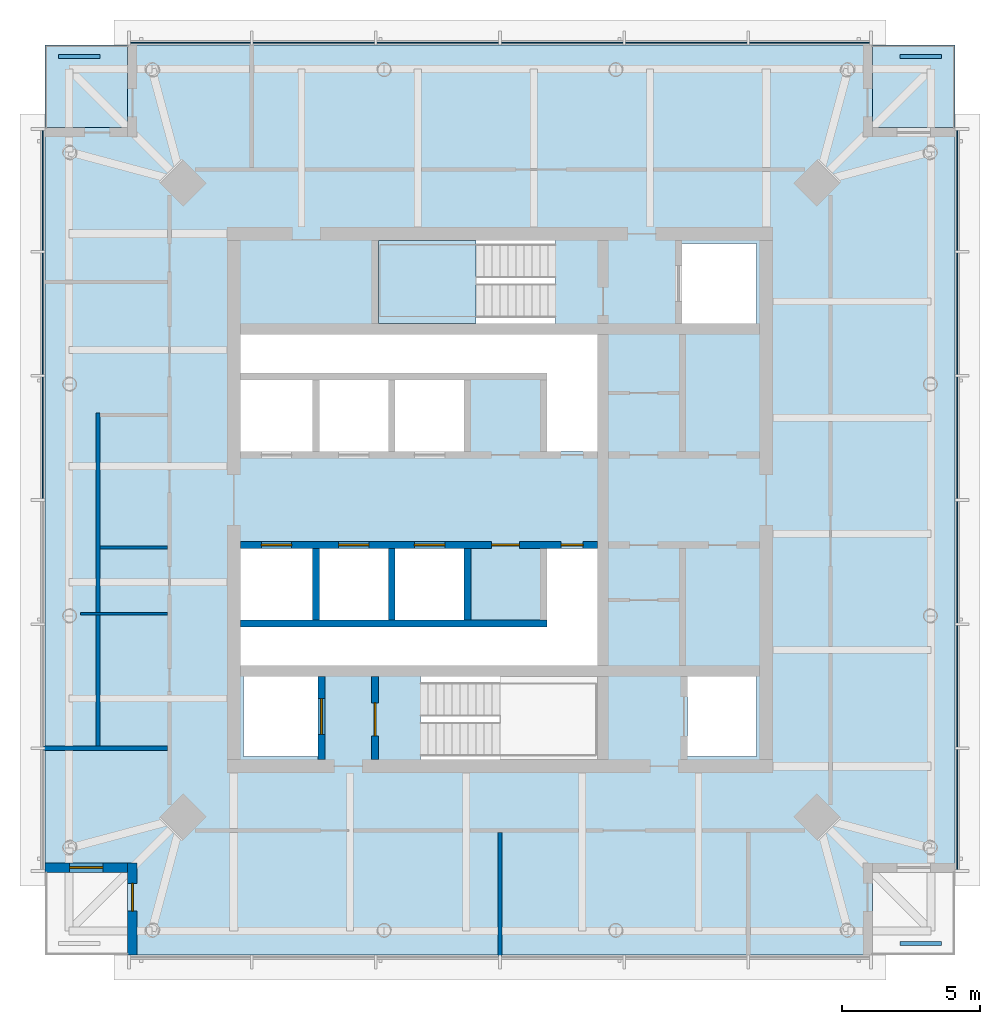
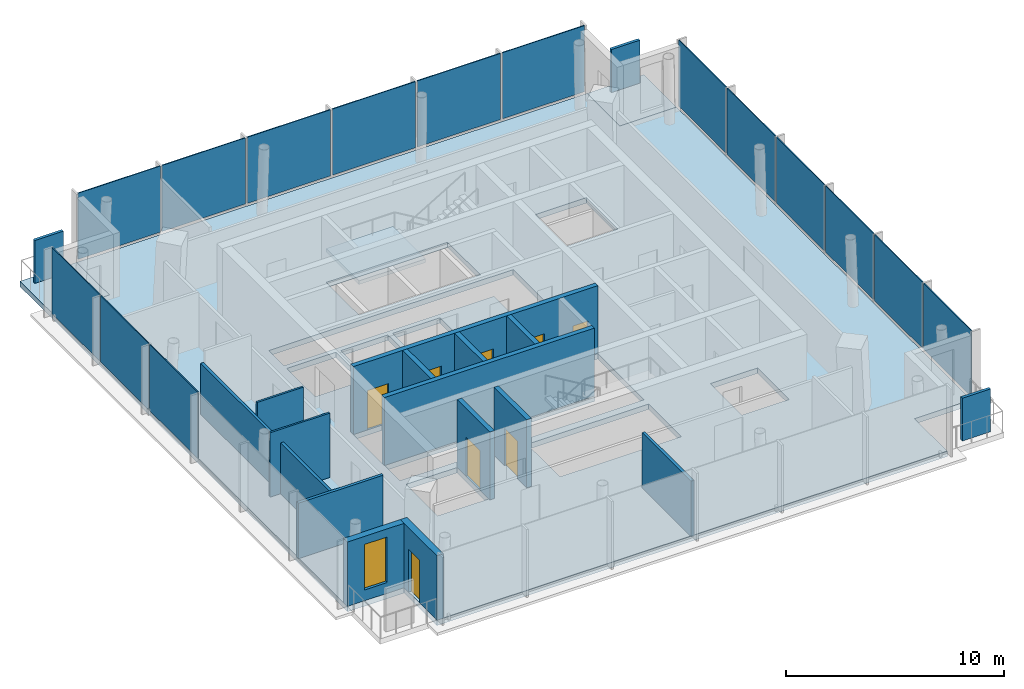
# One storey, part 3 of 8: 18 plates, 14 walls, 8 doors, 4 slabs, 1 window, 9 openings, 4 elements without a shape of their own.
"""IFC4 building model written with IfcOpenShell, lengths in metres."""

from ifc_helpers import new_model, si_unit, direction, frame, frame_2d, origin, origin_2d, place, context, subcontext, project, spatial, polyline, rectangle, outline, extrude, material, layer, layer_set, type_object, element, fill, aggregate, save


model = new_model("IFC4")

# Units and contexts
model_context = context("Model", 3, precision=1e-05, world=origin(), true_north=direction((0.0, 1.0)))
body_context = subcontext(model_context, "Body", "Model", "MODEL_VIEW")
ifc_project = project(units=[si_unit("LENGTHUNIT", "METRE"), si_unit("AREAUNIT", "SQUARE_METRE"), si_unit("VOLUMEUNIT", "CUBIC_METRE"), si_unit("PLANEANGLEUNIT", "RADIAN"), si_unit("MASSUNIT", "GRAM", prefix="KILO")], contexts=[model_context])

# Site, building, storey
site_placement = place(None, origin())
site = spatial("IfcSite", under=ifc_project, at=site_placement, CompositionType="ELEMENT")
building_placement = place(site_placement, origin())
building = spatial("IfcBuilding", under=site, at=building_placement, Name="Ostroluk Exchange", CompositionType="ELEMENT")
storey_placement = place(building_placement, frame((0.0, 0.0, 283.199951171875)))
storey = spatial("IfcBuildingStorey", under=building, at=storey_placement, Name="L73", CompositionType="ELEMENT", Elevation=283.199951171875)

# Slabs
ifc_material_1 = material(Name="Concrete C35/45", Category="concrete")
ifc_layer_1 = layer(ifc_material_1, 0.300048828125)
ifc_layer_set_1 = layer_set([ifc_layer_1], Name="Balcony slab 300")
slab_type_1 = type_object("IfcSlabType", Name="Balcony slab 300", PredefinedType="USERDEFINED", material=ifc_layer_set_1)
slab_1_placement = place(storey_placement, frame((0.0, 0.0, -0.300048828125)))
element("IfcSlab", 1, at=slab_1_placement, inside=storey, type_object=slab_type_1, Name="Office tower NE corner balcony L73", ObjectType="BALCONY", PredefinedType="USERDEFINED", context=body_context, shape_type="SweptSolid", body=[
    extrude(outline(polyline([(58.5, 59.5), (61.5, 59.5), (61.5, 62.5), (58.5, 62.5), (58.5, 59.5)])), origin(), (0.0, 0.0, 1.0), 0.300048828125),
])
slab_2_placement = place(storey_placement, frame((0.0, 0.0, -0.300048828125)))
element("IfcSlab", 2, at=slab_2_placement, inside=storey, type_object=slab_type_1, Name="Office tower NW corner balcony L73", ObjectType="BALCONY", PredefinedType="USERDEFINED", context=body_context, shape_type="SweptSolid", body=[
    extrude(outline(polyline([(28.5, 59.5), (31.5, 59.5), (31.5, 62.5), (28.5, 62.5), (28.5, 59.5)])), origin(), (0.0, 0.0, 1.0), 0.300048828125),
])

# Curtain wall, plates
ifc_material_2 = material(Name="Laminated clear glass", Category="glass")
curtain_wall_type = type_object("IfcCurtainWallType", Name="Sky garden and observation glazing", PredefinedType="USERDEFINED", material=ifc_material_2)
curtain_wall_1_placement = place(storey_placement, origin())
curtain_wall_1 = element("IfcCurtainWall", 3, at=curtain_wall_1_placement, inside=storey, type_object=curtain_wall_type, Name="Office tower east facade L73", ObjectType="STRUCTURAL GLAZING", PredefinedType="USERDEFINED")
ifc_material_3 = material(Name="Laminated clear glass", Category="glass")
ifc_layer_2 = layer(ifc_material_3, 0.052001953125)
ifc_layer_set_2 = layer_set([ifc_layer_2], Name="Low iron laminated glazing 52")
plate_type_1 = type_object("IfcPlateType", Name="Low iron laminated glazing 52", PredefinedType="CURTAIN_PANEL", material=ifc_layer_set_2)
plate_1_placement = place(storey_placement, frame((61.574951171875, 34.77490234375, 0.10009765625), z_axis=(0.0, 0.0, 1.0), x_axis=(0.0, 1.0, 0.0)))
plate_1 = element("IfcPlate", 4, at=plate_1_placement, type_object=plate_type_1, Name="CW-S1 panel 1.1", PredefinedType="CURTAIN_PANEL", context=body_context, shape_type="SweptSolid", body=[
    extrude(rectangle(XDim=4.35009765625, YDim=0.052001953125, at=origin_2d()), origin(), (0.0, 0.0, 1.0), 3.699951171875),
])
plate_2_placement = place(storey_placement, frame((61.574951171875, 39.25, 0.10009765625), z_axis=(0.0, 0.0, 1.0), x_axis=(0.0, 1.0, 0.0)))
plate_2 = element("IfcPlate", 5, at=plate_2_placement, type_object=plate_type_1, Name="CW-S1 panel 2.1", PredefinedType="CURTAIN_PANEL", context=body_context, shape_type="SweptSolid", body=[
    extrude(rectangle(XDim=4.39990234375, YDim=0.052001953125, at=origin_2d()), origin(), (0.0, 0.0, 1.0), 3.699951171875),
])
plate_3_placement = place(storey_placement, frame((61.574951171875, 43.75, 0.10009765625), z_axis=(0.0, 0.0, 1.0), x_axis=(0.0, 1.0, 0.0)))
plate_3 = element("IfcPlate", 6, at=plate_3_placement, type_object=plate_type_1, Name="CW-S1 panel 3.1", PredefinedType="CURTAIN_PANEL", context=body_context, shape_type="SweptSolid", body=[
    extrude(rectangle(XDim=4.39990234375, YDim=0.052001953125, at=origin_2d()), origin(), (0.0, 0.0, 1.0), 3.699951171875),
])
plate_4_placement = place(storey_placement, frame((61.574951171875, 48.25, 0.10009765625), z_axis=(0.0, 0.0, 1.0), x_axis=(0.0, 1.0, 0.0)))
plate_4 = element("IfcPlate", 7, at=plate_4_placement, type_object=plate_type_1, Name="CW-S1 panel 4.1", PredefinedType="CURTAIN_PANEL", context=body_context, shape_type="SweptSolid", body=[
    extrude(rectangle(XDim=4.39990234375, YDim=0.052001953125, at=origin_2d()), origin(), (0.0, 0.0, 1.0), 3.699951171875),
])
plate_5_placement = place(storey_placement, frame((61.574951171875, 52.75, 0.10009765625), z_axis=(0.0, 0.0, 1.0), x_axis=(0.0, 1.0, 0.0)))
plate_5 = element("IfcPlate", 8, at=plate_5_placement, type_object=plate_type_1, Name="CW-S1 panel 5.1", PredefinedType="CURTAIN_PANEL", context=body_context, shape_type="SweptSolid", body=[
    extrude(rectangle(XDim=4.39990234375, YDim=0.052001953125, at=origin_2d()), origin(), (0.0, 0.0, 1.0), 3.699951171875),
])
plate_6_placement = place(storey_placement, frame((61.574951171875, 57.22509765625, 0.10009765625), z_axis=(0.0, 0.0, 1.0), x_axis=(0.0, 1.0, 0.0)))
plate_6 = element("IfcPlate", 9, at=plate_6_placement, type_object=plate_type_1, Name="CW-S1 panel 6.1", PredefinedType="CURTAIN_PANEL", context=body_context, shape_type="SweptSolid", body=[
    extrude(rectangle(XDim=4.35009765625, YDim=0.052001953125, at=origin_2d()), origin(), (0.0, 0.0, 1.0), 3.699951171875),
])
aggregate(curtain_wall_1, [plate_1, plate_2, plate_3, plate_4, plate_5, plate_6])

curtain_wall_2_placement = place(storey_placement, origin())
curtain_wall_2 = element("IfcCurtainWall", 10, at=curtain_wall_2_placement, inside=storey, type_object=curtain_wall_type, Name="Office tower north facade L73", ObjectType="STRUCTURAL GLAZING", PredefinedType="USERDEFINED")
plate_7_placement = place(storey_placement, frame((56.22509765625, 62.574951171875, 0.10009765625), z_axis=(0.0, 0.0, 1.0), x_axis=(-1.0, 0.0, 0.0)))
plate_7 = element("IfcPlate", 11, at=plate_7_placement, type_object=plate_type_1, Name="CW-S1 panel 1.1", PredefinedType="CURTAIN_PANEL", context=body_context, shape_type="SweptSolid", body=[
    extrude(rectangle(XDim=4.35009765625, YDim=0.052001953125, at=origin_2d()), origin(), (0.0, 0.0, 1.0), 3.699951171875),
])
plate_8_placement = place(storey_placement, frame((51.75, 62.574951171875, 0.10009765625), z_axis=(0.0, 0.0, 1.0), x_axis=(-1.0, 0.0, 0.0)))
plate_8 = element("IfcPlate", 12, at=plate_8_placement, type_object=plate_type_1, Name="CW-S1 panel 2.1", PredefinedType="CURTAIN_PANEL", context=body_context, shape_type="SweptSolid", body=[
    extrude(rectangle(XDim=4.39990234375, YDim=0.052001953125, at=origin_2d()), origin(), (0.0, 0.0, 1.0), 3.699951171875),
])
plate_9_placement = place(storey_placement, frame((47.25, 62.574951171875, 0.10009765625), z_axis=(0.0, 0.0, 1.0), x_axis=(-1.0, 0.0, 0.0)))
plate_9 = element("IfcPlate", 13, at=plate_9_placement, type_object=plate_type_1, Name="CW-S1 panel 3.1", PredefinedType="CURTAIN_PANEL", context=body_context, shape_type="SweptSolid", body=[
    extrude(rectangle(XDim=4.39990234375, YDim=0.052001953125, at=origin_2d()), origin(), (0.0, 0.0, 1.0), 3.699951171875),
])
plate_10_placement = place(storey_placement, frame((42.75, 62.574951171875, 0.10009765625), z_axis=(0.0, 0.0, 1.0), x_axis=(-1.0, 0.0, 0.0)))
plate_10 = element("IfcPlate", 14, at=plate_10_placement, type_object=plate_type_1, Name="CW-S1 panel 4.1", PredefinedType="CURTAIN_PANEL", context=body_context, shape_type="SweptSolid", body=[
    extrude(rectangle(XDim=4.39990234375, YDim=0.052001953125, at=origin_2d()), origin(), (0.0, 0.0, 1.0), 3.699951171875),
])
plate_11_placement = place(storey_placement, frame((38.25, 62.574951171875, 0.10009765625), z_axis=(0.0, 0.0, 1.0), x_axis=(-1.0, 0.0, 0.0)))
plate_11 = element("IfcPlate", 15, at=plate_11_placement, type_object=plate_type_1, Name="CW-S1 panel 5.1", PredefinedType="CURTAIN_PANEL", context=body_context, shape_type="SweptSolid", body=[
    extrude(rectangle(XDim=4.39990234375, YDim=0.052001953125, at=origin_2d()), origin(), (0.0, 0.0, 1.0), 3.699951171875),
])
plate_12_placement = place(storey_placement, frame((33.77490234375, 62.574951171875, 0.10009765625), z_axis=(0.0, 0.0, 1.0), x_axis=(-1.0, 0.0, 0.0)))
plate_12 = element("IfcPlate", 16, at=plate_12_placement, type_object=plate_type_1, Name="CW-S1 panel 6.1", PredefinedType="CURTAIN_PANEL", context=body_context, shape_type="SweptSolid", body=[
    extrude(rectangle(XDim=4.35009765625, YDim=0.052001953125, at=origin_2d()), origin(), (0.0, 0.0, 1.0), 3.699951171875),
])
aggregate(curtain_wall_2, [plate_7, plate_8, plate_9, plate_10, plate_11, plate_12])

curtain_wall_3_placement = place(storey_placement, origin())
curtain_wall_3 = element("IfcCurtainWall", 17, at=curtain_wall_3_placement, inside=storey, type_object=curtain_wall_type, Name="Office tower west facade L73", ObjectType="STRUCTURAL GLAZING", PredefinedType="USERDEFINED")
plate_13_placement = place(storey_placement, frame((28.425048828125, 57.22509765625, 0.10009765625), z_axis=(0.0, 0.0, 1.0), x_axis=(0.0, -1.0, 0.0)))
plate_13 = element("IfcPlate", 18, at=plate_13_placement, type_object=plate_type_1, Name="CW-S1 panel 1.1", PredefinedType="CURTAIN_PANEL", context=body_context, shape_type="SweptSolid", body=[
    extrude(rectangle(XDim=4.35009765625, YDim=0.052001953125, at=origin_2d()), origin(), (0.0, 0.0, 1.0), 3.699951171875),
])
plate_14_placement = place(storey_placement, frame((28.425048828125, 52.75, 0.10009765625), z_axis=(0.0, 0.0, 1.0), x_axis=(0.0, -1.0, 0.0)))
plate_14 = element("IfcPlate", 19, at=plate_14_placement, type_object=plate_type_1, Name="CW-S1 panel 2.1", PredefinedType="CURTAIN_PANEL", context=body_context, shape_type="SweptSolid", body=[
    extrude(rectangle(XDim=4.39990234375, YDim=0.052001953125, at=origin_2d()), origin(), (0.0, 0.0, 1.0), 3.699951171875),
])
plate_15_placement = place(storey_placement, frame((28.425048828125, 48.25, 0.10009765625), z_axis=(0.0, 0.0, 1.0), x_axis=(0.0, -1.0, 0.0)))
plate_15 = element("IfcPlate", 20, at=plate_15_placement, type_object=plate_type_1, Name="CW-S1 panel 3.1", PredefinedType="CURTAIN_PANEL", context=body_context, shape_type="SweptSolid", body=[
    extrude(rectangle(XDim=4.39990234375, YDim=0.052001953125, at=origin_2d()), origin(), (0.0, 0.0, 1.0), 3.699951171875),
])
aggregate(curtain_wall_3, [plate_13, plate_14, plate_15])

# Plates
ifc_material_4 = material(Name="Steel S355 trellis with planting", Category="steel")
ifc_layer_3 = layer(ifc_material_4, 0.14990234375)
ifc_layer_set_3 = layer_set([ifc_layer_3], Name="Planted screen 150")
plate_type_2 = type_object("IfcPlateType", Name="Planted screen 150", PredefinedType="USERDEFINED", material=ifc_layer_set_3)
for number, where, z_axis, x_axis, name in (
    (21, (60.25, 29.925048828125, 0.0), (0.0, 0.0, 1.0), (1.0, 0.0, 0.0), "Office tower SE planted screen L73"),
    (22, (60.25, 62.074951171875, 0.0), (0.0, 0.0, 1.0), (1.0, 0.0, 0.0), "Office tower NE planted screen L73"),
    (23, (29.75, 62.074951171875, 0.0), (0.0, 0.0, 1.0), (1.0, 0.0, 0.0), "Office tower NW planted screen L73"),
):
    element("IfcPlate", number, at=place(storey_placement, frame(where, z_axis=z_axis, x_axis=x_axis)), inside=storey, type_object=plate_type_2, Name=name, ObjectType="PLANTED SCREEN", PredefinedType="USERDEFINED", context=body_context, shape_type="SweptSolid", body=[
        extrude(rectangle(XDim=1.5, YDim=0.14990234375, at=origin_2d()), origin(), (0.0, 0.0, 1.0), 2.39990234375),
    ])

# Stair, slab
ifc_material_5 = material(Name="Concrete C30/37", Category="concrete")
stair_type = type_object("IfcStairType", Name="Exit stair half turn 3800", PredefinedType="HALF_TURN_STAIR", material=ifc_material_5)
stair_placement = place(storey_placement, origin())
stair = element("IfcStair", 24, at=stair_placement, inside=storey, type_object=stair_type, Name="Stair T1-S2 L73", PredefinedType="HALF_TURN_STAIR")
ifc_material_6 = material(Name="Concrete C30/37", Category="concrete")
ifc_layer_4 = layer(ifc_material_6, 0.199951171875)
ifc_layer_set_4 = layer_set([ifc_layer_4], Name="Stair landing 200")
slab_type_2 = type_object("IfcSlabType", Name="Stair landing 200", PredefinedType="LANDING", material=ifc_layer_set_4)
slab_3_placement = place(storey_placement, frame((0.0, 0.0, 1.699951171875)))
slab_3 = element("IfcSlab", 25, at=slab_3_placement, type_object=slab_type_2, Name="T1-S2 landing 1", PredefinedType="LANDING", context=body_context, shape_type="SweptSolid", body=[
    extrude(outline(polyline([(44.1298828125, 52.39990234375), (44.1298828125, 55.39990234375), (40.60009765625, 55.39990234375), (40.60009765625, 52.39990234375), (44.1298828125, 52.39990234375)])), origin(), (0.0, 0.0, 1.0), 0.2001953125),
])
aggregate(stair, [slab_3])

# Slab
ifc_material_7 = material(Name="Concrete C35/45", Category="concrete")
ifc_layer_5 = layer(ifc_material_7, 0.300048828125)
ifc_layer_set_5 = layer_set([ifc_layer_5], Name="Tower floor slab 300")
slab_type_3 = type_object("IfcSlabType", Name="Tower floor slab 300", PredefinedType="FLOOR", material=ifc_layer_set_5)
slab_4_placement = place(storey_placement, frame((0.0, 0.0, -0.300048828125)))
element("IfcSlab", 26, at=slab_4_placement, inside=storey, type_object=slab_type_3, Name="Office tower floor slab L73", PredefinedType="FLOOR", context=body_context, shape_type="SweptSolid", body=[
    extrude(outline(polyline([(31.5, 29.5), (58.5, 29.5), (58.5, 32.5), (61.5, 32.5), (61.5, 59.5), (58.5, 59.5), (58.5, 62.5), (31.5, 62.5), (31.5, 59.5), (28.5, 59.5), (28.5, 32.5), (31.5, 32.5), (31.5, 29.5)]), holes=[polyline([(35.699951171875, 36.699951171875), (38.39990234375, 36.699951171875), (38.39990234375, 39.60009765625), (35.699951171875, 39.60009765625), (35.699951171875, 36.699951171875)]), polyline([(42.110107421875, 36.60009765625), (48.530029296875, 36.60009765625), (48.530029296875, 39.60009765625), (42.110107421875, 39.60009765625), (42.110107421875, 36.60009765625)]), polyline([(51.800048828125, 36.699951171875), (54.300048828125, 36.699951171875), (54.300048828125, 39.60009765625), (51.800048828125, 39.60009765625), (51.800048828125, 36.699951171875)]), polyline([(40.60009765625, 52.39990234375), (47.02001953125, 52.39990234375), (47.02001953125, 55.39990234375), (40.60009765625, 55.39990234375), (40.60009765625, 52.39990234375)]), polyline([(51.60009765625, 52.39990234375), (54.300048828125, 52.39990234375), (54.300048828125, 55.300048828125), (51.60009765625, 55.300048828125), (51.60009765625, 52.39990234375)]), polyline([(35.60009765625, 47.75), (38.199951171875, 47.75), (38.199951171875, 50.35009765625), (35.60009765625, 50.35009765625), (35.60009765625, 47.75)]), polyline([(38.449951171875, 47.75), (40.949951171875, 47.75), (40.949951171875, 50.35009765625), (38.449951171875, 50.35009765625), (38.449951171875, 47.75)]), polyline([(41.199951171875, 47.75), (43.699951171875, 47.75), (43.699951171875, 50.35009765625), (41.199951171875, 50.35009765625), (41.199951171875, 47.75)]), polyline([(35.60009765625, 41.64990234375), (38.199951171875, 41.64990234375), (38.199951171875, 44.25), (35.60009765625, 44.25), (35.60009765625, 41.64990234375)]), polyline([(38.449951171875, 41.64990234375), (40.949951171875, 41.64990234375), (40.949951171875, 44.25), (38.449951171875, 44.25), (38.449951171875, 41.64990234375)]), polyline([(41.199951171875, 41.64990234375), (43.699951171875, 41.64990234375), (43.699951171875, 44.25), (41.199951171875, 44.25), (41.199951171875, 41.64990234375)]), polyline([(48.530029296875, 52.0), (48.530029296875, 47.75), (46.699951171875, 47.75), (46.699951171875, 50.60009765625), (35.60009765625, 50.60009765625), (35.60009765625, 52.0), (48.530029296875, 52.0)]), polyline([(35.60009765625, 40.0), (35.60009765625, 41.39990234375), (46.699951171875, 41.39990234375), (46.699951171875, 44.25), (48.530029296875, 44.25), (48.530029296875, 40.0), (35.60009765625, 40.0)])]), origin(), (0.0, 0.0, 1.0), 0.300048828125),
])

# Walls
ifc_material_8 = material(Name="Concrete blockwork", Category="masonry")
ifc_layer_6 = layer(ifc_material_8, 0.10009765625)
ifc_layer_set_6 = layer_set([ifc_layer_6], Name="Blockwork WC wall 100")
wall_type_1 = type_object("IfcWallType", Name="Blockwork WC wall 100", PredefinedType="SOLIDWALL", material=ifc_layer_set_6)
wall_1_placement = place(storey_placement, frame((32.949951171875, 44.27490234375, 0.0), z_axis=(0.0, 0.0, 1.0), x_axis=(-1.0, 0.0, 0.0)))
element("IfcWall", 27, at=wall_1_placement, inside=storey, type_object=wall_type_1, Name="Blockwork WC wall", PredefinedType="SOLIDWALL", context=body_context, shape_type="SweptSolid", body=[
    extrude(rectangle(XDim=2.449951171875, YDim=0.10009765625, at=frame_2d((1.22509765625, 0.0))), origin(), (0.0, 0.0, 1.0), 3.60009765625),
])
wall_2_placement = place(storey_placement, frame((32.949951171875, 41.875, 0.0), z_axis=(0.0, 0.0, 1.0), x_axis=(-1.0, 0.0, 0.0)))
element("IfcWall", 28, at=wall_2_placement, inside=storey, type_object=wall_type_1, Name="Blockwork WC wall", PredefinedType="SOLIDWALL", context=body_context, shape_type="SweptSolid", body=[
    extrude(rectangle(XDim=3.14990234375, YDim=0.10009765625, at=frame_2d((1.574951171875, 0.0))), origin(), (0.0, 0.0, 1.0), 3.60009765625),
])

# Wall, opening, door
ifc_material_9 = material(Name="Concrete C40/50", Category="concrete")
ifc_layer_7 = layer(ifc_material_9, 0.25)
ifc_layer_set_7 = layer_set([ifc_layer_7], Name="Core shaft wall 250")
wall_type_2 = type_object("IfcWallType", Name="Core shaft wall 250", PredefinedType="SHEAR", material=ifc_layer_set_7)
wall_3_placement = place(storey_placement, frame((38.52490234375, 36.60009765625, 0.0), z_axis=(0.0, 0.0, 1.0), x_axis=(0.0, 1.0, 0.0)))
wall_3 = element("IfcWall", 29, at=wall_3_placement, inside=storey, type_object=wall_type_2, Name="Firefighting lift shaft wall", PredefinedType="SHEAR", context=body_context, shape_type="SweptSolid", body=[
    extrude(rectangle(XDim=3.0, YDim=0.25, at=frame_2d((1.5, 0.0))), origin(), (0.0, 0.0, 1.0), 3.800048828125),
])
opening_1_placement = place(wall_3_placement, frame((0.89990234375, 0.0, 0.0)))
opening_1 = element("IfcOpeningElement", 30, at=opening_1_placement, cuts=wall_3, Name="Opening LD2", PredefinedType="OPENING", context=body_context, shape_type="SweptSolid", body=[
    extrude(rectangle(XDim=1.300048828125, YDim=2.199951171875, at=frame_2d((0.64990234375, 1.10009765625))), frame((0.0, 0.135009765625, 0.0), z_axis=(0.0, -1.0, 0.0), x_axis=(1.0, 0.0, 0.0)), (0.0, 0.0, 1.0), 0.27001953125),
])
ifc_material_10 = material(Name="Stainless steel", Category="steel")
door_type_1 = type_object("IfcDoorType", Name="Lift landing door E 60 1300 x 2200", OperationType="DOUBLE_DOOR_SLIDING", PredefinedType="DOOR", material=ifc_material_10)
door_1_placement = place(opening_1_placement, origin())
door_1 = element("IfcDoor", 31, at=door_1_placement, inside=storey, type_object=door_type_1, Name="Lift FL1 landing door", OperationType="DOUBLE_DOOR_SLIDING", OverallHeight=2.199951171875, OverallWidth=1.300048828125, PredefinedType="DOOR", context=body_context, shape_type="SweptSolid", body=[
    extrude(rectangle(XDim=1.300048828125, YDim=2.199951171875, at=frame_2d((0.64990234375, 1.10009765625))), frame((0.0, 0.02490234375, 0.0), z_axis=(0.0, -1.0, 0.0), x_axis=(1.0, 0.0, 0.0)), (0.0, 0.0, 1.0), 0.050048828125),
])
fill(opening_1, door_1)

wall_4_placement = place(storey_placement, frame((40.47509765625, 36.60009765625, 0.0), z_axis=(0.0, 0.0, 1.0), x_axis=(0.0, 1.0, 0.0)))
wall_4 = element("IfcWall", 32, at=wall_4_placement, inside=storey, type_object=wall_type_2, Name="Stair shaft wall", PredefinedType="SHEAR", context=body_context, shape_type="SweptSolid", body=[
    extrude(rectangle(XDim=3.0, YDim=0.25, at=frame_2d((1.5, 0.0))), origin(), (0.0, 0.0, 1.0), 3.800048828125),
])
opening_2_placement = place(wall_4_placement, frame((0.85009765625, 0.0, 0.0)))
opening_2 = element("IfcOpeningElement", 33, at=opening_2_placement, cuts=wall_4, Name="Opening FD60S", PredefinedType="OPENING", context=body_context, shape_type="SweptSolid", body=[
    extrude(rectangle(XDim=1.199951171875, YDim=2.10009765625, at=frame_2d((0.60009765625, 1.050048828125))), frame((0.0, 0.135009765625, 0.0), z_axis=(0.0, -1.0, 0.0), x_axis=(1.0, 0.0, 0.0)), (0.0, 0.0, 1.0), 0.27001953125),
])
ifc_material_11 = material(Name="Steel", Category="steel")
door_type_2 = type_object("IfcDoorType", Name="Stair door EI 60 1200 x 2100", OperationType="SINGLE_SWING_LEFT", PredefinedType="DOOR", material=ifc_material_11)
door_2_placement = place(opening_2_placement, origin())
door_2 = element("IfcDoor", 34, at=door_2_placement, inside=storey, type_object=door_type_2, Name="Stair T1-S1 door", OperationType="SINGLE_SWING_LEFT", OverallHeight=2.10009765625, OverallWidth=1.199951171875, PredefinedType="DOOR", context=body_context, shape_type="SweptSolid", body=[
    extrude(rectangle(XDim=1.199951171875, YDim=2.10009765625, at=frame_2d((0.60009765625, 1.050048828125))), frame((0.0, 0.02490234375, 0.0), z_axis=(0.0, -1.0, 0.0), x_axis=(1.0, 0.0, 0.0)), (0.0, 0.0, 1.0), 0.050048828125),
])
fill(opening_2, door_2)

# Walls
for number, where, z_axis, x_axis, name in (
    (35, (38.324951171875, 44.25, 0.0), (0.0, 0.0, 1.0), (0.0, -1.0, 0.0), "Lift shaft wall"),
    (36, (41.074951171875, 44.25, 0.0), (0.0, 0.0, 1.0), (0.0, -1.0, 0.0), "Lift shaft wall"),
    (37, (43.824951171875, 44.25, 0.0), (0.0, 0.0, 1.0), (0.0, -1.0, 0.0), "Lift shaft wall"),
):
    element("IfcWall", number, at=place(storey_placement, frame(where, z_axis=z_axis, x_axis=x_axis)), inside=storey, type_object=wall_type_2, Name=name, PredefinedType="SHEAR", context=body_context, shape_type="SweptSolid", body=[
        extrude(rectangle(XDim=2.60009765625, YDim=0.25, at=frame_2d((1.300048828125, 0.0))), origin(), (0.0, 0.0, 1.0), 3.800048828125),
    ])
wall_5_placement = place(storey_placement, frame((35.60009765625, 41.52490234375, 0.0), z_axis=(0.0, 0.0, 1.0), x_axis=(1.0, 0.0, 0.0)))
element("IfcWall", 38, at=wall_5_placement, inside=storey, type_object=wall_type_2, Name="Lift shaft wall", PredefinedType="SHEAR", context=body_context, shape_type="SweptSolid", body=[
    extrude(rectangle(XDim=11.099853515625, YDim=0.25, at=frame_2d((5.5498046875, 0.0))), origin(), (0.0, 0.0, 1.0), 3.800048828125),
])

# Wall, openings, doors
wall_6_placement = place(storey_placement, frame((35.60009765625, 44.375, 0.0), z_axis=(0.0, 0.0, 1.0), x_axis=(1.0, 0.0, 0.0)))
wall_6 = element("IfcWall", 39, at=wall_6_placement, inside=storey, type_object=wall_type_2, Name="Lift shaft front wall", PredefinedType="SHEAR", context=body_context, shape_type="SweptSolid", body=[
    extrude(rectangle(XDim=12.929931640625, YDim=0.25, at=frame_2d((6.46484375, 0.0))), origin(), (0.0, 0.0, 1.0), 3.800048828125),
])
opening_3_placement = place(wall_6_placement, frame((0.75, 0.0, 0.0)))
opening_3 = element("IfcOpeningElement", 40, at=opening_3_placement, cuts=wall_6, Name="Opening LD", PredefinedType="OPENING", context=body_context, shape_type="SweptSolid", body=[
    extrude(rectangle(XDim=1.10009765625, YDim=2.199951171875, at=frame_2d((0.550048828125, 1.10009765625))), frame((0.0, 0.135009765625, 0.0), z_axis=(0.0, -1.0, 0.0), x_axis=(1.0, 0.0, 0.0)), (0.0, 0.0, 1.0), 0.27001953125),
])
opening_4_placement = place(wall_6_placement, frame((3.550048828125, 0.0, 0.0)))
opening_4 = element("IfcOpeningElement", 41, at=opening_4_placement, cuts=wall_6, Name="Opening LD", PredefinedType="OPENING", context=body_context, shape_type="SweptSolid", body=[
    extrude(rectangle(XDim=1.10009765625, YDim=2.199951171875, at=frame_2d((0.550048828125, 1.10009765625))), frame((0.0, 0.135009765625, 0.0), z_axis=(0.0, -1.0, 0.0), x_axis=(1.0, 0.0, 0.0)), (0.0, 0.0, 1.0), 0.27001953125),
])
opening_5_placement = place(wall_6_placement, frame((6.300048828125, 0.0, 0.0)))
opening_5 = element("IfcOpeningElement", 42, at=opening_5_placement, cuts=wall_6, Name="Opening LD", PredefinedType="OPENING", context=body_context, shape_type="SweptSolid", body=[
    extrude(rectangle(XDim=1.10009765625, YDim=2.199951171875, at=frame_2d((0.550048828125, 1.10009765625))), frame((0.0, 0.135009765625, 0.0), z_axis=(0.0, -1.0, 0.0), x_axis=(1.0, 0.0, 0.0)), (0.0, 0.0, 1.0), 0.27001953125),
])
opening_6_placement = place(wall_6_placement, frame((9.10009765625, 0.0, 0.0)))
opening_6 = element("IfcOpeningElement", 43, at=opening_6_placement, cuts=wall_6, Name="Opening FD60", PredefinedType="OPENING", context=body_context, shape_type="SweptSolid", body=[
    extrude(rectangle(XDim=1.0, YDim=2.10009765625, at=frame_2d((0.5, 1.050048828125))), frame((0.0, 0.135009765625, 0.0), z_axis=(0.0, -1.0, 0.0), x_axis=(1.0, 0.0, 0.0)), (0.0, 0.0, 1.0), 0.27001953125),
])
opening_7_placement = place(wall_6_placement, frame((11.614990234375, 0.0, 0.0)))
opening_7 = element("IfcOpeningElement", 44, at=opening_7_placement, cuts=wall_6, Name="Opening RD60", PredefinedType="OPENING", context=body_context, shape_type="SweptSolid", body=[
    extrude(rectangle(XDim=0.800048828125, YDim=2.0, at=frame_2d((0.39990234375, 1.0))), frame((0.0, 0.135009765625, 0.0), z_axis=(0.0, -1.0, 0.0), x_axis=(1.0, 0.0, 0.0)), (0.0, 0.0, 1.0), 0.27001953125),
])
ifc_material_12 = material(Name="Steel", Category="steel")
door_type_3 = type_object("IfcDoorType", Name="Fire door EI 60 1000 x 2100", OperationType="SINGLE_SWING_LEFT", PredefinedType="DOOR", material=ifc_material_12)
door_3_placement = place(opening_6_placement, origin())
door_3 = element("IfcDoor", 45, at=door_3_placement, inside=storey, type_object=door_type_3, Name="Core room door", OperationType="SINGLE_SWING_RIGHT", OverallHeight=2.10009765625, OverallWidth=1.0, PredefinedType="DOOR", context=body_context, shape_type="SweptSolid", body=[
    extrude(rectangle(XDim=1.0, YDim=2.10009765625, at=frame_2d((0.5, 1.050048828125))), frame((0.0, 0.02490234375, 0.0), z_axis=(0.0, -1.0, 0.0), x_axis=(1.0, 0.0, 0.0)), (0.0, 0.0, 1.0), 0.050048828125),
])
fill(opening_6, door_3)
ifc_material_13 = material(Name="Stainless steel", Category="steel")
door_type_4 = type_object("IfcDoorType", Name="Lift landing door E 60 1100 x 2200", OperationType="DOUBLE_DOOR_SLIDING", PredefinedType="DOOR", material=ifc_material_13)
door_4_placement = place(opening_3_placement, origin())
door_4 = element("IfcDoor", 46, at=door_4_placement, inside=storey, type_object=door_type_4, Name="Lift PL-T4 landing door", OperationType="DOUBLE_DOOR_SLIDING", OverallHeight=2.199951171875, OverallWidth=1.10009765625, PredefinedType="DOOR", context=body_context, shape_type="SweptSolid", body=[
    extrude(rectangle(XDim=1.10009765625, YDim=2.199951171875, at=frame_2d((0.550048828125, 1.10009765625))), frame((0.0, 0.02490234375, 0.0), z_axis=(0.0, -1.0, 0.0), x_axis=(1.0, 0.0, 0.0)), (0.0, 0.0, 1.0), 0.050048828125),
])
fill(opening_3, door_4)
door_5_placement = place(opening_4_placement, origin())
door_5 = element("IfcDoor", 47, at=door_5_placement, inside=storey, type_object=door_type_4, Name="Lift PL-T5 landing door", OperationType="DOUBLE_DOOR_SLIDING", OverallHeight=2.199951171875, OverallWidth=1.10009765625, PredefinedType="DOOR", context=body_context, shape_type="SweptSolid", body=[
    extrude(rectangle(XDim=1.10009765625, YDim=2.199951171875, at=frame_2d((0.550048828125, 1.10009765625))), frame((0.0, 0.02490234375, 0.0), z_axis=(0.0, -1.0, 0.0), x_axis=(1.0, 0.0, 0.0)), (0.0, 0.0, 1.0), 0.050048828125),
])
fill(opening_4, door_5)
door_6_placement = place(opening_5_placement, origin())
door_6 = element("IfcDoor", 48, at=door_6_placement, inside=storey, type_object=door_type_4, Name="Lift PL-T6 landing door", OperationType="DOUBLE_DOOR_SLIDING", OverallHeight=2.199951171875, OverallWidth=1.10009765625, PredefinedType="DOOR", context=body_context, shape_type="SweptSolid", body=[
    extrude(rectangle(XDim=1.10009765625, YDim=2.199951171875, at=frame_2d((0.550048828125, 1.10009765625))), frame((0.0, 0.02490234375, 0.0), z_axis=(0.0, -1.0, 0.0), x_axis=(1.0, 0.0, 0.0)), (0.0, 0.0, 1.0), 0.050048828125),
])
fill(opening_5, door_6)
ifc_material_14 = material(Name="Steel", Category="steel")
door_type_5 = type_object("IfcDoorType", Name="Riser access door EI 60 800 x 2000", OperationType="SINGLE_SWING_LEFT", PredefinedType="DOOR", material=ifc_material_14)
door_7_placement = place(opening_7_placement, origin())
door_7 = element("IfcDoor", 49, at=door_7_placement, inside=storey, type_object=door_type_5, Name="Riser access door", OperationType="SINGLE_SWING_RIGHT", OverallHeight=2.0, OverallWidth=0.800048828125, PredefinedType="DOOR", context=body_context, shape_type="SweptSolid", body=[
    extrude(rectangle(XDim=0.800048828125, YDim=2.0, at=frame_2d((0.39990234375, 1.0))), frame((0.0, 0.02490234375, 0.0), z_axis=(0.0, -1.0, 0.0), x_axis=(1.0, 0.0, 0.0)), (0.0, 0.0, 1.0), 0.050048828125),
])
fill(opening_7, door_7)

# Wall, opening, door
ifc_material_15 = material(Name="Limestone", Category="masonry")
ifc_layer_8 = layer(ifc_material_15, 0.35009765625)
ifc_layer_set_8 = layer_set([ifc_layer_8], Name="Limestone facade wall 350")
wall_type_3 = type_object("IfcWallType", Name="Limestone facade wall 350", PredefinedType="SOLIDWALL", material=ifc_layer_set_8)
wall_7_placement = place(storey_placement, frame((31.675048828125, 29.5, 0.0), z_axis=(0.0, 0.0, 1.0), x_axis=(0.0, 1.0, 0.0)))
wall_7 = element("IfcWall", 50, at=wall_7_placement, inside=storey, type_object=wall_type_3, Name="Office tower SW corner wall L73 a", PredefinedType="SOLIDWALL", context=body_context, shape_type="SweptSolid", body=[
    extrude(rectangle(XDim=3.35009765625, YDim=0.35009765625, at=frame_2d((1.675048828125, 0.0))), origin(), (0.0, 0.0, 1.0), 3.60009765625),
])
opening_8_placement = place(wall_7_placement, frame((1.60009765625, 0.0, 0.0)))
opening_8 = element("IfcOpeningElement", 51, at=opening_8_placement, cuts=wall_7, Name="Opening D-B1", PredefinedType="OPENING", context=body_context, shape_type="SweptSolid", body=[
    extrude(rectangle(XDim=1.0, YDim=2.39990234375, at=frame_2d((0.5, 1.199951171875))), frame((0.0, 0.18505859375, 0.0), z_axis=(0.0, -1.0, 0.0), x_axis=(1.0, 0.0, 0.0)), (0.0, 0.0, 1.0), 0.3701171875),
])
ifc_material_16 = material(Name="Bronze framed glazed door", Category="aluminium")
door_type_6 = type_object("IfcDoorType", Name="Balcony door 1000 x 2400", OperationType="SINGLE_SWING_LEFT", PredefinedType="DOOR", material=ifc_material_16)
door_8_placement = place(opening_8_placement, origin())
door_8 = element("IfcDoor", 52, at=door_8_placement, inside=storey, type_object=door_type_6, Name="Office tower SW balcony door L73", OperationType="SINGLE_SWING_RIGHT", OverallHeight=2.39990234375, OverallWidth=1.0, PredefinedType="DOOR", context=body_context, shape_type="SweptSolid", body=[
    extrude(rectangle(XDim=1.0, YDim=2.39990234375, at=frame_2d((0.5, 1.199951171875))), frame((0.0, 0.02490234375, 0.0), z_axis=(0.0, -1.0, 0.0), x_axis=(1.0, 0.0, 0.0)), (0.0, 0.0, 1.0), 0.050048828125),
])
fill(opening_8, door_8)

# Wall, opening, window
wall_8_placement = place(storey_placement, frame((31.5, 32.675048828125, 0.0), z_axis=(0.0, 0.0, 1.0), x_axis=(-1.0, 0.0, 0.0)))
wall_8 = element("IfcWall", 53, at=wall_8_placement, inside=storey, type_object=wall_type_3, Name="Office tower SW corner wall L73 b", PredefinedType="SOLIDWALL", context=body_context, shape_type="SweptSolid", body=[
    extrude(rectangle(XDim=3.0, YDim=0.35009765625, at=frame_2d((1.5, 0.0))), origin(), (0.0, 0.0, 1.0), 3.60009765625),
])
opening_9_placement = place(wall_8_placement, frame((0.89990234375, 0.0, 0.60009765625)))
opening_9 = element("IfcOpeningElement", 54, at=opening_9_placement, cuts=wall_8, Name="Opening WN-L1", PredefinedType="OPENING", context=body_context, shape_type="SweptSolid", body=[
    extrude(rectangle(XDim=1.199951171875, YDim=2.550048828125, at=frame_2d((0.60009765625, 1.27490234375))), frame((0.0, 0.18505859375, 0.0), z_axis=(0.0, -1.0, 0.0), x_axis=(1.0, 0.0, 0.0)), (0.0, 0.0, 1.0), 0.3701171875),
])
ifc_material_17 = material(Name="Laminated clear glass", Category="glass")
window_type = type_object("IfcWindowType", Name="Lancet window 1200 x 2550", PartitioningType="SINGLE_PANEL", PredefinedType="WINDOW", material=ifc_material_17)
window_placement = place(opening_9_placement, origin())
window = element("IfcWindow", 55, at=window_placement, inside=storey, type_object=window_type, Name="Office tower SW lancet window L73", OverallHeight=2.550048828125, OverallWidth=1.199951171875, PartitioningType="SINGLE_PANEL", PredefinedType="WINDOW", context=body_context, shape_type="SweptSolid", body=[
    extrude(rectangle(XDim=1.199951171875, YDim=2.550048828125, at=frame_2d((0.60009765625, 1.27490234375))), frame((0.0, 0.030029296875, 0.0), z_axis=(0.0, -1.0, 0.0), x_axis=(1.0, 0.0, 0.0)), (0.0, 0.0, 1.0), 0.06005859375),
])
fill(opening_9, window)

# Walls
ifc_material_18 = material(Name="Gypsum plasterboard partition", Category="gypsum")
ifc_layer_9 = layer(ifc_material_18, 0.14990234375)
ifc_layer_set_9 = layer_set([ifc_layer_9], Name="Plasterboard partition 150")
wall_type_4 = type_object("IfcWallType", Name="Plasterboard partition 150", PredefinedType="PARTITIONING", material=ifc_layer_set_9)
for number, where, z_axis, x_axis, name in (
    (56, (32.949951171875, 37.0, 0.0), (0.0, 0.0, 1.0), (-1.0, 0.0, 0.0), "Partition"),
    (57, (45.0, 33.949951171875, 0.0), (0.0, 0.0, 1.0), (0.0, -1.0, 0.0), "Partition"),
):
    element("IfcWall", number, at=place(storey_placement, frame(where, z_axis=z_axis, x_axis=x_axis)), inside=storey, type_object=wall_type_4, Name=name, PredefinedType="PARTITIONING", context=body_context, shape_type="SweptSolid", body=[
        extrude(rectangle(XDim=4.489990234375, YDim=0.14990234375, at=frame_2d((2.2451171875, 0.0))), origin(), (0.0, 0.0, 1.0), 3.10009765625),
    ])
ifc_material_19 = material(Name="Gypsum plasterboard partition, moisture resistant", Category="gypsum")
ifc_layer_10 = layer(ifc_material_19, 0.14990234375)
ifc_layer_set_10 = layer_set([ifc_layer_10], Name="Plasterboard toilet partition 150")
wall_type_5 = type_object("IfcWallType", Name="Plasterboard toilet partition 150", PredefinedType="PARTITIONING", material=ifc_layer_set_10)
wall_9_placement = place(storey_placement, frame((30.425048828125, 49.14990234375, 0.0), z_axis=(0.0, 0.0, 1.0), x_axis=(0.0, -1.0, 0.0)))
element("IfcWall", 58, at=wall_9_placement, inside=storey, type_object=wall_type_5, Name="Toilet partition", PredefinedType="PARTITIONING", context=body_context, shape_type="SweptSolid", body=[
    extrude(rectangle(XDim=12.14990234375, YDim=0.14990234375, at=frame_2d((6.074951171875, 0.0))), origin(), (0.0, 0.0, 1.0), 2.84716796875),
])

save(model, "model.ifc")
